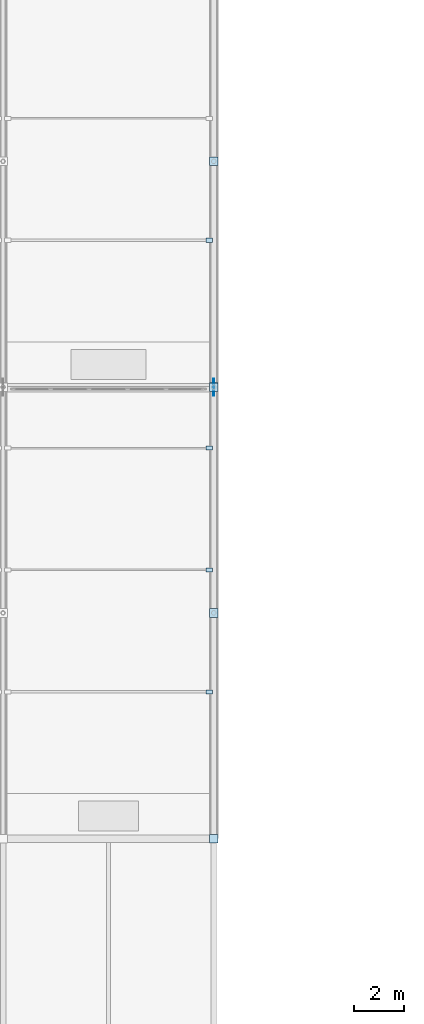
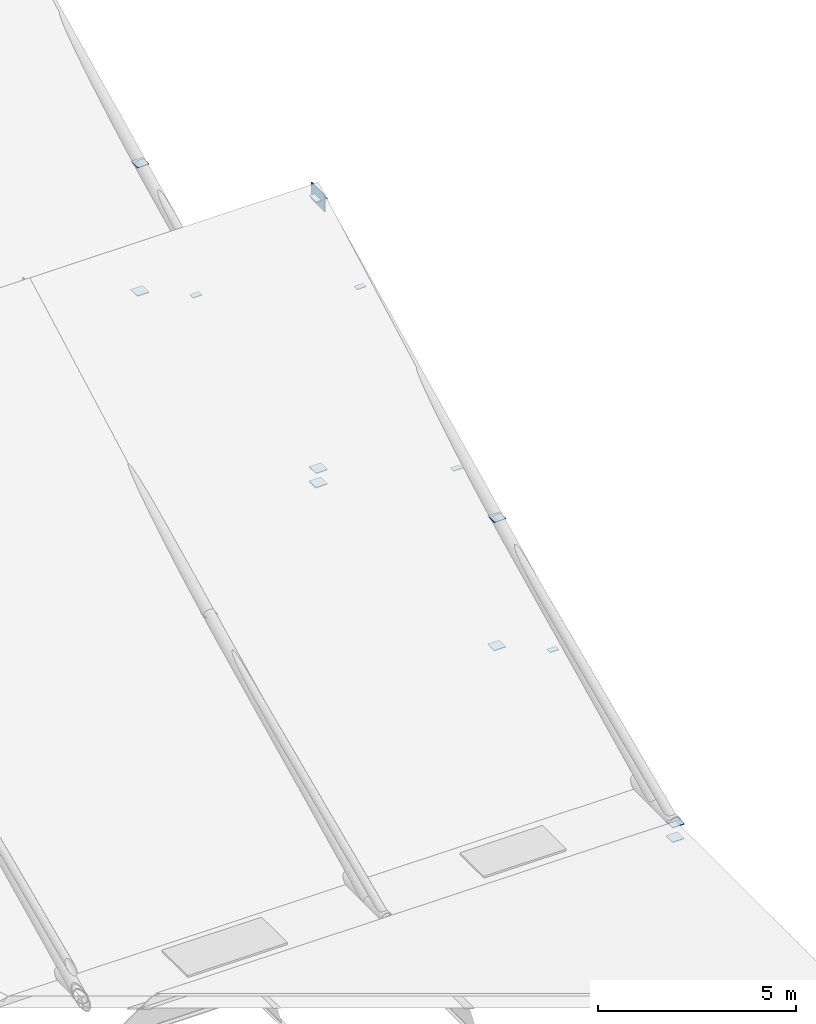
# One storey, part 35 of 38: 14 plates.
"""IFC4 building model written with IfcOpenShell, lengths in metres."""

from ifc_helpers import new_model, si_unit, direction, frame, origin, origin_2d, place, context, subcontext, project, spatial, rectangle, extrude, material, layer, layer_set, type_object, element, save


model = new_model("IFC4")

# Units and contexts
model_context = context("Model", 3, precision=1e-05, world=origin(), true_north=direction((0.0, 1.0)))
body_context = subcontext(model_context, "Body", "Model", "MODEL_VIEW")
ifc_project = project(units=[si_unit("LENGTHUNIT", "METRE"), si_unit("AREAUNIT", "SQUARE_METRE"), si_unit("VOLUMEUNIT", "CUBIC_METRE"), si_unit("PLANEANGLEUNIT", "RADIAN"), si_unit("MASSUNIT", "GRAM", prefix="KILO")], contexts=[model_context])

# Site, building, storey
site_placement = place(None, origin())
site = spatial("IfcSite", under=ifc_project, at=site_placement, CompositionType="ELEMENT")
building_placement = place(site_placement, origin())
building = spatial("IfcBuilding", under=site, at=building_placement, Name="Veltarok Museum of Natural Sciences", CompositionType="ELEMENT")
storey_placement = place(building_placement, frame((0.0, 0.0, 31.199951171875)))
storey = spatial("IfcBuildingStorey", under=building, at=storey_placement, Name="RF", CompositionType="ELEMENT", Elevation=31.199951171875)

# Plates
ifc_material = material(Name="Steel S355J2", Category="steel")
ifc_layer_1 = layer(ifc_material, 0.01611328125)
ifc_layer_set_1 = layer_set([ifc_layer_1], Name="Steel S355J2")
plate_type_1 = type_object("IfcPlateType", Name="Hollow End Closure Plate 260x170x16", PredefinedType="USERDEFINED", material=ifc_layer_set_1)
for number, where, z_axis, x_axis, name in (
    (1, (98.615966796875, 41.85009765625, -3.95849609375), (0.0, 0.0, 1.0), (1.0, 0.0, 0.0), "End Cap Plate CP-180 369"),
    (2, (98.615966796875, 46.7099609375, -1.318359375), (0.0, 0.0, 1.0), (1.0, 0.0, 0.0), "End Cap Plate CP-180 371"),
    (3, (98.615966796875, 51.570068359375, 1.321533203125), (0.0, 0.0, 1.0), (1.0, 0.0, 0.0), "End Cap Plate CP-180 373"),
    (4, (98.615966796875, 59.85009765625, -3.95849609375), (0.0, 0.0, 1.0), (1.0, 0.0, 0.0), "End Cap Plate CP-180 375"),
):
    element("IfcPlate", number, at=place(storey_placement, frame(where, z_axis=z_axis, x_axis=x_axis)), inside=storey, type_object=plate_type_1, Name=name, ObjectType="END CAP PLATE", PredefinedType="USERDEFINED", context=body_context, shape_type="SweptSolid", body=[
        extrude(rectangle(XDim=0.260009765625, YDim=0.169921875, at=origin_2d()), origin(), (0.0, 0.0, 1.0), 0.01611328125),
    ])
ifc_layer_2 = layer(ifc_material, 0.02001953125)
ifc_layer_set_2 = layer_set([ifc_layer_2], Name="Steel S355J2")
plate_type_2 = type_object("IfcPlateType", Name="Hollow End Closure Plate D340x20", PredefinedType="USERDEFINED", material=ifc_layer_set_2)
for number, where, z_axis, x_axis, name in (
    (5, (98.800048828125, 36.00390625, -5.81005859375), (0.0, 0.0, 1.0), (0.0, 1.0, 0.0), "End Cap Plate CP-324 285"),
    (6, (98.800048828125, 44.99609375, -5.81005859375), (0.0, 0.0, 1.0), (0.0, 1.0, 0.0), "End Cap Plate CP-324 286"),
    (7, (98.800048828125, 53.99609375, -5.81005859375), (0.0, 0.0, 1.0), (0.0, 1.0, 0.0), "End Cap Plate CP-324 287"),
    (8, (98.800048828125, 36.003662109375, -6.25830078125), (0.0, 0.0, 1.0), (0.0, 1.0, 0.0), "End Cap Plate CP-324 288"),
    (9, (98.800048828125, 44.996337890625, -1.86181640625), (0.0, 0.0, 1.0), (0.0, 1.0, 0.0), "End Cap Plate CP-324 289"),
    (10, (98.800048828125, 53.996337890625, 2.538330078125), (0.0, 0.0, 1.0), (0.0, 1.0, 0.0), "End Cap Plate CP-324 290"),
    (11, (98.800048828125, 62.99609375, -5.81005859375), (0.0, 0.0, 1.0), (0.0, 1.0, 0.0), "End Cap Plate CP-324 291"),
    (12, (98.800048828125, 54.003662109375, -6.25830078125), (0.0, 0.0, 1.0), (0.0, 1.0, 0.0), "End Cap Plate CP-324 293"),
    (13, (98.800048828125, 62.996337890625, -1.86181640625), (0.0, 0.0, 1.0), (0.0, 1.0, 0.0), "End Cap Plate CP-324 294"),
):
    element("IfcPlate", number, at=place(storey_placement, frame(where, z_axis=z_axis, x_axis=x_axis)), inside=storey, type_object=plate_type_2, Name=name, ObjectType="END CAP PLATE", PredefinedType="USERDEFINED", context=body_context, shape_type="SweptSolid", body=[
        extrude(rectangle(XDim=0.340087890625, YDim=0.340087890625, at=origin_2d()), origin(), (0.0, 0.0, 1.0), 0.02001953125),
    ])
ifc_layer_3 = layer(ifc_material, 0.02490234375)
ifc_layer_set_3 = layer_set([ifc_layer_3], Name="Steel S355J2")
plate_type_3 = type_object("IfcPlateType", Name="Sawtooth Truss Ridge Gusset Node Plate TN1", PredefinedType="USERDEFINED", material=ifc_layer_set_3)
plate_placement = place(storey_placement, frame((98.800048828125, 54.0, 2.2900390625), z_axis=(0.0, 0.0, 1.0), x_axis=(1.0, 0.0, 0.0)))
element("IfcPlate", 14, at=plate_placement, inside=storey, type_object=plate_type_3, Name="Sawtooth Truss Ridge Node TN1 12 M1", ObjectType="GUSSET PLATE", PredefinedType="USERDEFINED", context=body_context, shape_type="SweptSolid", body=[
    extrude(rectangle(XDim=0.02490234375, YDim=0.679931640625, at=origin_2d()), origin(), (0.0, 0.0, 1.0), 0.52001953125),
])

save(model, "model.ifc")
